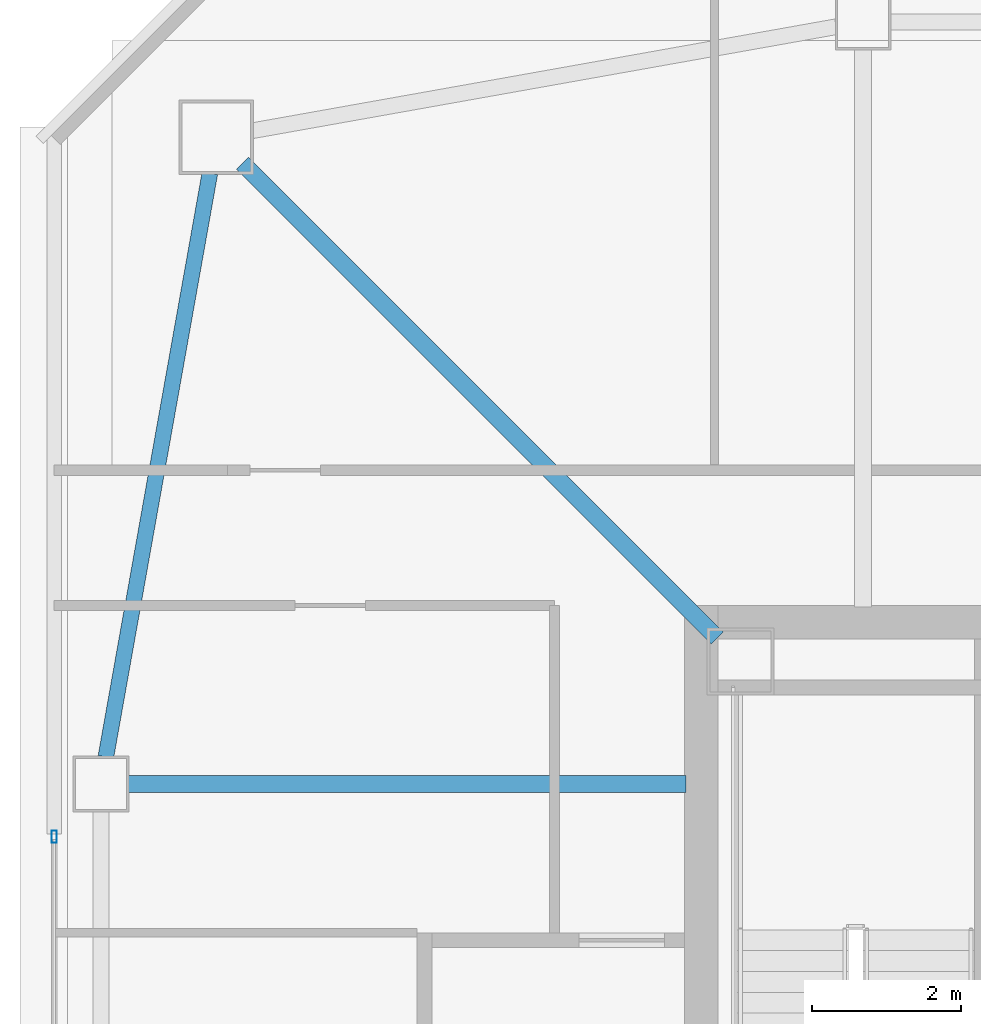
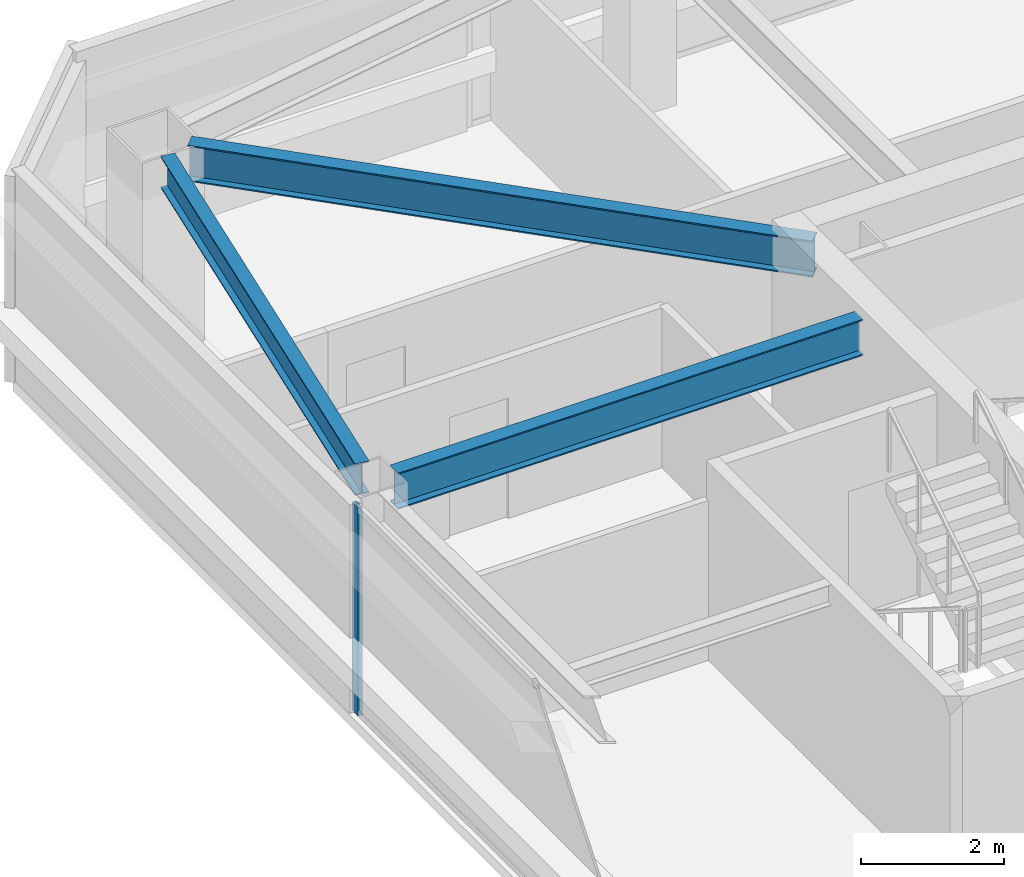
# One storey, part 9 of 40: 3 beams, 1 member, 1 element without a shape of its own.
"""IFC4 building model written with IfcOpenShell, lengths in metres."""

from ifc_helpers import new_model, si_unit, direction, frame, origin, origin_2d, place, context, subcontext, project, spatial, hollow_rectangle, i_section, extrude, material, material_profile, profile_set, type_object, element, aggregate, save


model = new_model("IFC4")

# Units and contexts
model_context = context("Model", 3, precision=1e-05, world=origin(), true_north=direction((0.0, 1.0)))
body_context = subcontext(model_context, "Body", "Model", "MODEL_VIEW")
ifc_project = project(units=[si_unit("LENGTHUNIT", "METRE"), si_unit("AREAUNIT", "SQUARE_METRE"), si_unit("VOLUMEUNIT", "CUBIC_METRE"), si_unit("PLANEANGLEUNIT", "RADIAN"), si_unit("MASSUNIT", "GRAM", prefix="KILO")], contexts=[model_context])

# Site, building, storey
site_placement = place(None, origin())
site = spatial("IfcSite", under=ifc_project, at=site_placement, CompositionType="ELEMENT")
building_placement = place(site_placement, origin())
building = spatial("IfcBuilding", under=site, at=building_placement, Name="Tashvorn Skyway Center", CompositionType="ELEMENT")
storey_placement = place(building_placement, frame((0.0, 0.0, 221.949951171875)))
storey = spatial("IfcBuildingStorey", under=building, at=storey_placement, Name="L60", CompositionType="ELEMENT", Elevation=221.949951171875)

# Beams
ifc_material_1 = material(Name="Steel ASTM A992 Grade 50", Category="steel")
ifc_material_profile_1 = material_profile(ifc_material_1, i_section(OverallWidth=0.22998046875, OverallDepth=0.616943359375, WebThickness=0.01318359375, FlangeThickness=0.022216796875, at=origin_2d()), Name="W24X94")
ifc_profile_set_1 = profile_set([ifc_material_profile_1], Name="Steel ASTM A992 Grade 50")
beam_type_1 = type_object("IfcBeamType", Name="BM-BEAM-W24X94", PredefinedType="BEAM", material=ifc_profile_set_1)
beam_1_placement = place(storey_placement, frame((28.25, 45.75, 3.0615234375), z_axis=(0.707106781187, -0.707106781187, 0.0), x_axis=(0.707106781187, 0.707106781187, 0.0)))
element("IfcBeam", 1, at=beam_1_placement, inside=storey, type_object=beam_type_1, Name="Tower 1 L60 Primary Floor Girder MC-NW", PredefinedType="BEAM", context=body_context, shape_type="SweptSolid", body=[
    extrude(i_section(OverallWidth=0.22998046875, OverallDepth=0.616943359375, WebThickness=0.01318359375, FlangeThickness=0.022216796875, at=origin_2d()), origin(), (0.0, 0.0, 1.0), 9.030029296875),
])
beam_2_placement = place(storey_placement, frame((26.719970703125, 37.39990234375, 3.0615234375), z_axis=(1.0, 0.0, 0.0), x_axis=(0.0, 1.0, 0.0)))
element("IfcBeam", 2, at=beam_2_placement, inside=storey, type_object=beam_type_1, Name="Tower 1 L60 Primary Floor Girder FC-W1", PredefinedType="BEAM", context=body_context, shape_type="SweptSolid", body=[
    extrude(i_section(OverallWidth=0.22998046875, OverallDepth=0.616943359375, WebThickness=0.01318359375, FlangeThickness=0.022216796875, at=origin_2d()), origin(), (0.0, 0.0, 1.0), 7.5),
])
ifc_material_profile_2 = material_profile(ifc_material_1, i_section(OverallWidth=0.2109375, OverallDepth=0.5390625, WebThickness=0.01171875, FlangeThickness=0.018798828125, at=origin_2d()), Name="W21X73")
ifc_profile_set_2 = profile_set([ifc_material_profile_2], Name="Steel ASTM A992 Grade 50")
beam_type_2 = type_object("IfcBeamType", Name="BM-SPANDREL-W21X73", PredefinedType="SPANDREL", material=ifc_profile_set_2)
beam_3_placement = place(storey_placement, frame((27.813232421875, 45.61279296875, 3.1005859375), z_axis=(-0.17541329759, -0.984494883191, 0.0), x_axis=(0.984494883191, -0.17541329759, 0.0)))
element("IfcBeam", 3, at=beam_3_placement, inside=storey, type_object=beam_type_2, Name="Tower 1 L60 Spandrel Beam 10", PredefinedType="SPANDREL", context=body_context, shape_type="SweptSolid", body=[
    extrude(i_section(OverallWidth=0.2109375, OverallDepth=0.5390625, WebThickness=0.01171875, FlangeThickness=0.018798828125, at=origin_2d()), origin(), (0.0, 0.0, 1.0), 7.97216796875),
])

# Curtain wall, member
ifc_material_2 = material(Name="Thermally broken bronze-anodized aluminium 6063-T6", Category="aluminium")
curtain_wall_type = type_object("IfcCurtainWallType", Name="CW-CW-Z5", PredefinedType="NOTDEFINED", material=ifc_material_2)
curtain_wall_placement = place(storey_placement, origin())
curtain_wall = element("IfcCurtainWall", 4, at=curtain_wall_placement, inside=storey, type_object=curtain_wall_type, Name="Tower 1 L60 West Unitised Curtain Wall Glazing Group 1", PredefinedType="NOTDEFINED")
ifc_material_profile_3 = material_profile(ifc_material_2, hollow_rectangle(XDim=0.070068359375, YDim=0.1650390625, WallThickness=0.00390625, at=origin_2d()), Name="ALU-MULL-70x165")
ifc_profile_set_3 = profile_set([ifc_material_profile_3], Name="Thermally broken bronze-anodized aluminium 6063-T6")
member_type = type_object("IfcMemberType", Name="CWM-CW-Z5", PredefinedType="MULLION", material=ifc_profile_set_3)
member_placement = place(storey_placement, frame((25.719970703125, 36.691650390625, 0.0), z_axis=(0.0, 0.0, 1.0), x_axis=(-1.0, 0.0, 0.0)))
member = element("IfcMember", 5, at=member_placement, type_object=member_type, Name="CW-Z5 mullion 2", PredefinedType="MULLION", context=body_context, shape_type="SweptSolid", body=[
    extrude(hollow_rectangle(XDim=0.070068359375, YDim=0.1650390625, WallThickness=0.00390625, at=origin_2d()), origin(), (0.0, 0.0, 1.0), 3.550048828125),
])
aggregate(curtain_wall, [member])

save(model, "model.ifc")
